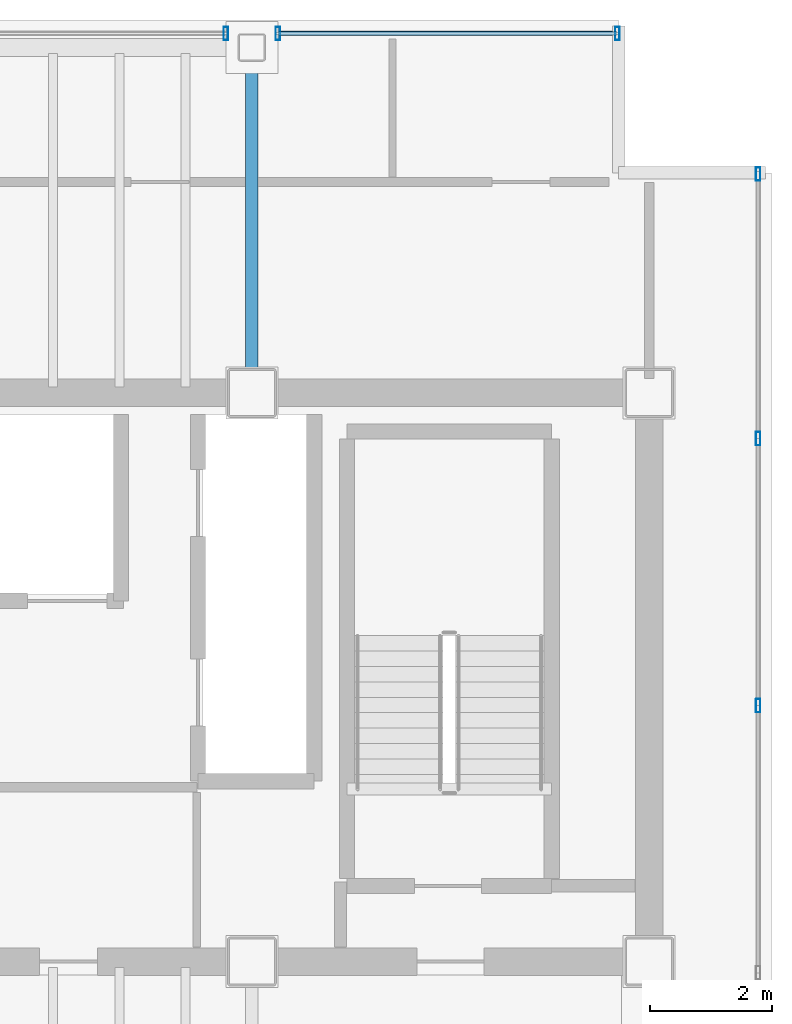
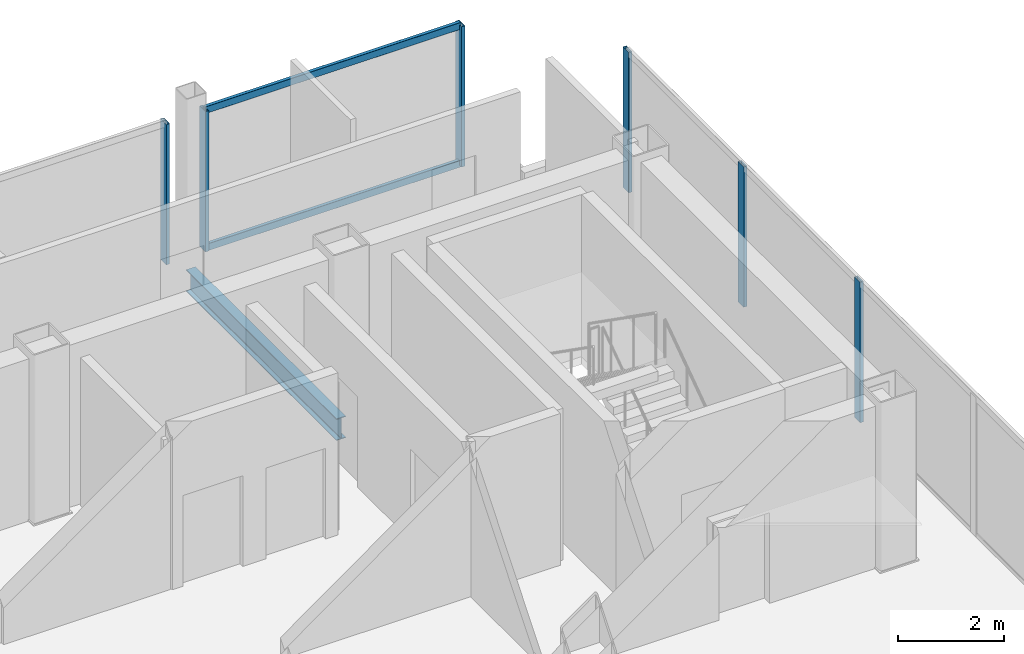
# One storey, part 13 of 17: 8 members, 1 beam, 3 elements without a shape of their own.
"""IFC4 building model written with IfcOpenShell, lengths in metres."""

import ifcopenshell
import ifcopenshell.guid

model = None  # the IFC model being written
_history = None  # IfcOwnerHistory: only IFC2X3 demands one
_inside = {}  # id of a spatial element -> (the spatial element, [elements in it])
_under = {}  # id of a project, library or spatial element -> (it, [spatial elements below it])
_declared = {}  # id of a project -> (the project, [libraries it declares])
_typed = {}  # id of a type object -> (the type object, [elements of that type])
_made_of = {}  # id of a material, layer set ... -> (it, [elements and type objects made of it])


def new_model(schema):
    """Start an empty IFC model of exactly this schema.

    Asked for "IFC4X3", IfcOpenShell would pick the latest addendum, in which some entities
    have other attributes; the version numbers below select the first issue.
    IFC2X3 requires an IfcOwnerHistory on every rooted entity: one is made here for all.
    """
    global model, _history
    if schema == "IFC4X3":
        model = ifcopenshell.file(schema_version=(4, 3, 0, 0))
    else:
        model = ifcopenshell.file(schema=schema)
    _inside.clear()
    _under.clear()
    _declared.clear()
    _typed.clear()
    _made_of.clear()
    _history = None
    if model.schema == "IFC2X3":
        org = make("IfcOrganization", Name="unknown")
        user = make(
            "IfcPersonAndOrganization",
            ThePerson=make("IfcPerson", FamilyName="unknown"),
            TheOrganization=org,
        )
        app = make(
            "IfcApplication",
            ApplicationDeveloper=org,
            Version="unknown",
            ApplicationFullName="unknown",
            ApplicationIdentifier="unknown",
        )
        _history = make(
            "IfcOwnerHistory",
            OwningUser=user,
            OwningApplication=app,
            ChangeAction="ADDED",
            CreationDate=0,
        )
    return model


def make(cls, **values):
    """One entity of the class cls with the attributes given. An attribute that is None is left unset."""
    return model.create_entity(
        cls, **{name: value for name, value in values.items() if value is not None}
    )


def rooted(cls, **values):
    """An entity with a GlobalId (a new one), such as an element, a storey or a relation."""
    return make(cls, GlobalId=ifcopenshell.guid.new(), OwnerHistory=_history, **values)


def si_unit(unit_type, name, prefix=None):
    """IfcSIUnit, for example si_unit("LENGTHUNIT", "METRE", prefix="MILLI")."""
    return make("IfcSIUnit", UnitType=unit_type, Prefix=prefix, Name=name)


def assignment(units):
    """IfcUnitAssignment: the units of a project."""
    return None if units is None else make("IfcUnitAssignment", Units=units)


def point(xyz):
    """IfcCartesianPoint."""
    return None if xyz is None else make("IfcCartesianPoint", Coordinates=xyz)


def direction(xyz):
    """IfcDirection."""
    return None if xyz is None else make("IfcDirection", DirectionRatios=xyz)


def frame(location, z_axis=None, x_axis=None):
    """IfcAxis2Placement3D, a coordinate frame: its origin and axes. An axis left out is left unset."""
    return make(
        "IfcAxis2Placement3D",
        Location=point(location),
        Axis=direction(z_axis),
        RefDirection=direction(x_axis),
    )


def frame_2d(location, x_axis=None):
    """IfcAxis2Placement2D, a coordinate frame in the plane: its origin and x axis."""
    return make(
        "IfcAxis2Placement2D", Location=point(location), RefDirection=direction(x_axis)
    )


def origin():
    """The frame at (0, 0, 0) with its axes left unset."""
    return frame((0.0, 0.0, 0.0))


def origin_2d():
    """The frame at (0, 0) in the plane with its x axis left unset."""
    return frame_2d((0.0, 0.0))


def place(relative_to, where):
    """IfcLocalPlacement: puts the frame where relative to a parent placement (None: the world)."""
    return make(
        "IfcLocalPlacement", PlacementRelTo=relative_to, RelativePlacement=where
    )


def context(
    kind, dimensions, precision=None, world=None, true_north=None, identifier=None
):
    """IfcGeometricRepresentationContext, for example the 3D "Model" context."""
    return make(
        "IfcGeometricRepresentationContext",
        ContextIdentifier=identifier,
        ContextType=kind,
        CoordinateSpaceDimension=dimensions,
        Precision=precision,
        WorldCoordinateSystem=world,
        TrueNorth=true_north,
    )


def subcontext(parent, identifier, kind, view, scale=None):
    """IfcGeometricRepresentationSubContext, for example "Body" below "Model"."""
    return make(
        "IfcGeometricRepresentationSubContext",
        ContextIdentifier=identifier,
        ContextType=kind,
        ParentContext=parent,
        TargetScale=scale,
        TargetView=view,
    )


def project(units=None, contexts=None):
    """IfcProject with its units and contexts."""
    return rooted(
        "IfcProject",
        Name="project",
        RepresentationContexts=contexts,
        UnitsInContext=assignment(units),
    )


def spatial(cls, under=None, at=None, **own):
    """A site, building, storey or space (cls), placed at a placement, below another one or the project."""
    s = rooted(cls, ObjectPlacement=at, **own)
    if under is not None:
        _under.setdefault(under.id(), (under, []))[1].append(s)
    return s


def profile(cls, at=None, kind="AREA", **sizes):
    """A parametric profile (cls). Its sizes go by their IFC names, for example OverallWidth=200.0."""
    return make(cls, ProfileType=kind, Position=at, **sizes)


def hollow_rectangle(**sizes):
    """IfcRectangleHollowProfileDef."""
    return profile("IfcRectangleHollowProfileDef", **sizes)


def i_section(**sizes):
    """IfcIShapeProfileDef."""
    return profile("IfcIShapeProfileDef", **sizes)


def extrude(swept, where, along, depth):
    """IfcExtrudedAreaSolid: the profile swept, set in the frame where, extruded along a direction by depth."""
    return make(
        "IfcExtrudedAreaSolid",
        SweptArea=swept,
        Position=where,
        ExtrudedDirection=direction(along),
        Depth=depth,
    )


def shape(context_of_items, identifier, shape_type, items):
    """IfcShapeRepresentation: the items that make up one representation, for example the "Body"."""
    return make(
        "IfcShapeRepresentation",
        ContextOfItems=context_of_items,
        RepresentationIdentifier=identifier,
        RepresentationType=shape_type,
        Items=items,
    )


def material(Name=None, Category=None):
    """IfcMaterial."""
    return make("IfcMaterial", Name=Name, Category=Category)


def material_profile(
    of_material, cross_section, Name=None, Category=None, Priority=None
):
    """IfcMaterialProfile: a cross section and its material."""
    return make(
        "IfcMaterialProfile",
        Name=Name,
        Material=of_material,
        Profile=cross_section,
        Priority=Priority,
        Category=Category,
    )


def profile_set(profiles, Name=None, composite=None):
    """IfcMaterialProfileSet."""
    return make(
        "IfcMaterialProfileSet",
        Name=Name,
        MaterialProfiles=profiles,
        CompositeProfile=composite,
    )


def made_of(thing, what):
    """Note that an element or type object is made of a material, layer set ...; save() writes the relation."""
    if what is not None:
        _made_of.setdefault(what.id(), (what, []))[1].append(thing)
    return thing


def type_object(cls, material=None, **own):
    """A type object (cls), such as IfcWallType, which elements share."""
    return made_of(rooted(cls, **own), material)


def element(
    cls,
    number,
    at=None,
    inside=None,
    cuts=None,
    type_object=None,
    material=None,
    context=None,
    identifier="Body",
    shape_type=None,
    held_by="IfcProductDefinitionShape",
    body=None,
    shapes=None,
    **own,
):
    """One element of the class cls, such as IfcWall. Its Tag is "e" and its number.

    at: its placement. inside: the storey or other place that contains it. cuts: it is an
    opening in that element (IfcRelVoidsElement). A single representation is given by context,
    identifier, shape_type and body (its items); several are given by shapes. held_by: the class
    of the entity that holds the representations. save() writes the other relations.
    """
    e = rooted(cls, Tag="e%d" % number, ObjectPlacement=at, **own)
    if body is not None:
        shapes = [shape(context, identifier, shape_type, body)]
    if shapes is not None:
        e.Representation = make(held_by, Representations=shapes)
    if inside is not None:
        _inside.setdefault(inside.id(), (inside, []))[1].append(e)
    if cuts is not None:
        rooted(
            "IfcRelVoidsElement", RelatingBuildingElement=cuts, RelatedOpeningElement=e
        )
    if type_object is not None:
        _typed.setdefault(type_object.id(), (type_object, []))[1].append(e)
    return made_of(e, material)


def aggregate(whole, parts):
    """IfcRelAggregates: a whole, such as a stair, and the parts it consists of."""
    return rooted("IfcRelAggregates", RelatingObject=whole, RelatedObjects=parts)


def save(model, path):
    """Write the relations noted so far, then the file.

    IfcRelAggregates (storeys below a building ...), IfcRelContainedInSpatialStructure (elements
    in a storey), IfcRelDefinesByType, IfcRelAssociatesMaterial and IfcRelDeclares: one each for
    every whole, place, type object, material and project.
    """
    for whole, parts in _under.values():
        aggregate(whole, parts)
    for where, things in _inside.values():
        rooted(
            "IfcRelContainedInSpatialStructure",
            RelatedElements=things,
            RelatingStructure=where,
        )
    for kind, things in _typed.values():
        rooted("IfcRelDefinesByType", RelatedObjects=things, RelatingType=kind)
    for what, things in _made_of.values():
        rooted("IfcRelAssociatesMaterial", RelatedObjects=things, RelatingMaterial=what)
    for by, libraries in _declared.values():
        rooted("IfcRelDeclares", RelatingContext=by, RelatedDefinitions=libraries)
    model.write(path)


model = new_model("IFC4")

# Units and contexts
model_context = context("Model", 3, precision=1e-05, world=origin(), true_north=direction((0.0, 1.0)))
body_context = subcontext(model_context, "Body", "Model", "MODEL_VIEW")
ifc_project = project(units=[si_unit("LENGTHUNIT", "METRE"), si_unit("AREAUNIT", "SQUARE_METRE"), si_unit("VOLUMEUNIT", "CUBIC_METRE"), si_unit("PLANEANGLEUNIT", "RADIAN"), si_unit("MASSUNIT", "GRAM", prefix="KILO")], contexts=[model_context])

# Site, building, storey
site_placement = place(None, origin())
site = spatial("IfcSite", under=ifc_project, at=site_placement, CompositionType="ELEMENT")
building_placement = place(site_placement, origin())
building = spatial("IfcBuilding", under=site, at=building_placement, Name="Noeulbin Bourse Tower", CompositionType="ELEMENT")
storey_placement = place(building_placement, frame((0.0, 0.0, 265.699951171875)))
storey = spatial("IfcBuildingStorey", under=building, at=storey_placement, Name="L66", CompositionType="ELEMENT", Elevation=265.699951171875)

# Beam
ifc_material_1 = material(Name="Steel S355", Category="steel")
ifc_material_profile_1 = material_profile(ifc_material_1, i_section(OverallWidth=0.199951171875, OverallDepth=0.5, WebThickness=0.010009765625, FlangeThickness=0.01611328125, FilletRadius=0.02001953125, at=origin_2d()), Name="H-500x200x10x16", Category="LoadBearing")
ifc_profile_set_1 = profile_set([ifc_material_profile_1], Name="Steel S355")
beam_type = type_object("IfcBeamType", Name="BM-GRD-500", PredefinedType="USERDEFINED", material=ifc_profile_set_1)
beam_placement = place(storey_placement, frame((37.5, 38.300048828125, -0.429931640625), z_axis=(0.0, 1.0, 0.0), x_axis=(-1.0, 0.0, 0.0)))
element("IfcBeam", 1, at=beam_placement, inside=storey, type_object=beam_type, Name="Tower Primary Girder NS L66-4.4", ObjectType="GIRDER", PredefinedType="USERDEFINED", context=body_context, shape_type="SweptSolid", body=[
    extrude(i_section(OverallWidth=0.199951171875, OverallDepth=0.5, WebThickness=0.010009765625, FlangeThickness=0.01611328125, FilletRadius=0.02001953125, at=origin_2d()), origin(), (0.0, 0.0, 1.0), 5.64990234375),
])

# Curtain wall, member
ifc_material_2 = material(Name="High-Selectivity Low-Iron Glazing", Category="glass")
curtain_wall_type = type_object("IfcCurtainWallType", Name="CW-SYS-4", PredefinedType="NOTDEFINED", material=ifc_material_2)
curtain_wall_1_placement = place(storey_placement, origin())
curtain_wall_1 = element("IfcCurtainWall", 2, at=curtain_wall_1_placement, inside=storey, type_object=curtain_wall_type, Name="Unitised Curtain Wall CW-L66-N-S4", PredefinedType="NOTDEFINED")
ifc_material_3 = material(Name="Anodised Aluminium 6063-T6", Category="aluminium")
ifc_material_profile_2 = material_profile(ifc_material_3, hollow_rectangle(XDim=0.074951171875, YDim=0.219970703125, WallThickness=0.0048828125, InnerFilletRadius=0.00244140625, OuterFilletRadius=0.0048828125, at=origin_2d()), Name="ALU-MULL-75x220x5", Category="LoadBearing")
ifc_profile_set_2 = profile_set([ifc_material_profile_2], Name="Anodised Aluminium 6063-T6")
member_type_1 = type_object("IfcMemberType", Name="CW-SYS-4-MUL", PredefinedType="MULLION", material=ifc_profile_set_2)
member_1_placement = place(storey_placement, frame((37.074951171875, 44.179931640625, -0.02001953125), z_axis=(0.0, 0.0, 1.0), x_axis=(1.0, 0.0, 0.0)))
member_1 = element("IfcMember", 3, at=member_1_placement, type_object=member_type_1, Name="Curtain Wall Mullion CW-L66-N-S4-M01", PredefinedType="MULLION", context=body_context, shape_type="SweptSolid", body=[
    extrude(hollow_rectangle(XDim=0.074951171875, YDim=0.219970703125, WallThickness=0.0048828125, InnerFilletRadius=0.00244140625, OuterFilletRadius=0.0048828125, at=origin_2d()), origin(), (0.0, 0.0, 1.0), 3.219970703125),
])
aggregate(curtain_wall_1, [member_1])

# Curtain wall, members
curtain_wall_2_placement = place(storey_placement, origin())
curtain_wall_2 = element("IfcCurtainWall", 4, at=curtain_wall_2_placement, inside=storey, type_object=curtain_wall_type, Name="Unitised Curtain Wall CW-L66-N-S5", PredefinedType="NOTDEFINED")
member_2_placement = place(storey_placement, frame((37.925048828125, 44.179931640625, -0.02001953125), z_axis=(0.0, 0.0, 1.0), x_axis=(1.0, 0.0, 0.0)))
member_2 = element("IfcMember", 5, at=member_2_placement, type_object=member_type_1, Name="Curtain Wall Mullion CW-L66-N-S5-M00", PredefinedType="MULLION", context=body_context, shape_type="SweptSolid", body=[
    extrude(hollow_rectangle(XDim=0.074951171875, YDim=0.219970703125, WallThickness=0.0048828125, InnerFilletRadius=0.00244140625, OuterFilletRadius=0.0048828125, at=origin_2d()), origin(), (0.0, 0.0, 1.0), 3.219970703125),
])
member_3_placement = place(storey_placement, frame((43.47998046875, 44.179931640625, -0.02001953125), z_axis=(0.0, 0.0, 1.0), x_axis=(1.0, 0.0, 0.0)))
member_3 = element("IfcMember", 6, at=member_3_placement, type_object=member_type_1, Name="Curtain Wall Mullion CW-L66-N-S5-M01", PredefinedType="MULLION", context=body_context, shape_type="SweptSolid", body=[
    extrude(hollow_rectangle(XDim=0.074951171875, YDim=0.219970703125, WallThickness=0.0048828125, InnerFilletRadius=0.00244140625, OuterFilletRadius=0.0048828125, at=origin_2d()), origin(), (0.0, 0.0, 1.0), 3.219970703125),
])

curtain_wall_3_placement = place(storey_placement, origin())
curtain_wall_3 = element("IfcCurtainWall", 7, at=curtain_wall_3_placement, inside=storey, type_object=curtain_wall_type, Name="Unitised Curtain Wall CW-L66-E", PredefinedType="NOTDEFINED")
member_4_placement = place(storey_placement, frame((45.780029296875, 33.18408203125, -0.02001953125), z_axis=(0.0, 0.0, 1.0), x_axis=(1.0, 0.0, 0.0)))
member_4 = element("IfcMember", 8, at=member_4_placement, type_object=member_type_1, Name="Curtain Wall Mullion CW-L66-E-M03", PredefinedType="MULLION", context=body_context, shape_type="SweptSolid", body=[
    extrude(hollow_rectangle(XDim=0.074951171875, YDim=0.219970703125, WallThickness=0.0048828125, InnerFilletRadius=0.00244140625, OuterFilletRadius=0.0048828125, at=origin_2d()), origin(), (0.0, 0.0, 1.0), 3.219970703125),
])
member_5_placement = place(storey_placement, frame((45.780029296875, 37.552001953125, -0.02001953125), z_axis=(0.0, 0.0, 1.0), x_axis=(1.0, 0.0, 0.0)))
member_5 = element("IfcMember", 9, at=member_5_placement, type_object=member_type_1, Name="Curtain Wall Mullion CW-L66-E-M04", PredefinedType="MULLION", context=body_context, shape_type="SweptSolid", body=[
    extrude(hollow_rectangle(XDim=0.074951171875, YDim=0.219970703125, WallThickness=0.0048828125, InnerFilletRadius=0.00244140625, OuterFilletRadius=0.0048828125, at=origin_2d()), origin(), (0.0, 0.0, 1.0), 3.219970703125),
])
member_6_placement = place(storey_placement, frame((45.780029296875, 41.8798828125, -0.02001953125), z_axis=(0.0, 0.0, 1.0), x_axis=(1.0, 0.0, 0.0)))
member_6 = element("IfcMember", 10, at=member_6_placement, type_object=member_type_1, Name="Curtain Wall Mullion CW-L66-E-M05", PredefinedType="MULLION", context=body_context, shape_type="SweptSolid", body=[
    extrude(hollow_rectangle(XDim=0.074951171875, YDim=0.219970703125, WallThickness=0.0048828125, InnerFilletRadius=0.00244140625, OuterFilletRadius=0.0048828125, at=origin_2d()), origin(), (0.0, 0.0, 1.0), 3.219970703125),
])
aggregate(curtain_wall_3, [member_4, member_5, member_6])

# Member
ifc_material_profile_3 = material_profile(ifc_material_3, hollow_rectangle(XDim=0.074951171875, YDim=0.159912109375, WallThickness=0.0048828125, InnerFilletRadius=0.00244140625, OuterFilletRadius=0.0048828125, at=origin_2d()), Name="ALU-TRAN-75x160x5", Category="LoadBearing")
ifc_profile_set_3 = profile_set([ifc_material_profile_3], Name="Anodised Aluminium 6063-T6")
member_type_2 = type_object("IfcMemberType", Name="CW-SYS-4-TRN", PredefinedType="USERDEFINED", material=ifc_profile_set_3)
member_7_placement = place(storey_placement, frame((37.93505859375, 44.179931640625, 0.010009765625), z_axis=(1.0, 0.0, 0.0), x_axis=(0.0, 1.0, 0.0)))
member_7 = element("IfcMember", 11, at=member_7_placement, type_object=member_type_2, Name="Curtain Wall Transom CW-L66-N-S5-T00", ObjectType="TRANSOM", PredefinedType="USERDEFINED", context=body_context, shape_type="SweptSolid", body=[
    extrude(hollow_rectangle(XDim=0.074951171875, YDim=0.159912109375, WallThickness=0.0048828125, InnerFilletRadius=0.00244140625, OuterFilletRadius=0.0048828125, at=origin_2d()), origin(), (0.0, 0.0, 1.0), 5.534912109375),
])

member_8_placement = place(storey_placement, frame((37.93505859375, 44.179931640625, 3.170166015625), z_axis=(1.0, 0.0, 0.0), x_axis=(0.0, 1.0, 0.0)))
member_8 = element("IfcMember", 12, at=member_8_placement, type_object=member_type_2, Name="Curtain Wall Transom CW-L66-N-S5-T01", ObjectType="TRANSOM", PredefinedType="USERDEFINED", context=body_context, shape_type="SweptSolid", body=[
    extrude(hollow_rectangle(XDim=0.074951171875, YDim=0.159912109375, WallThickness=0.0048828125, InnerFilletRadius=0.00244140625, OuterFilletRadius=0.0048828125, at=origin_2d()), origin(), (0.0, 0.0, 1.0), 5.534912109375),
])

aggregate(curtain_wall_2, [member_2, member_3, member_7, member_8])

save(model, "model.ifc")
